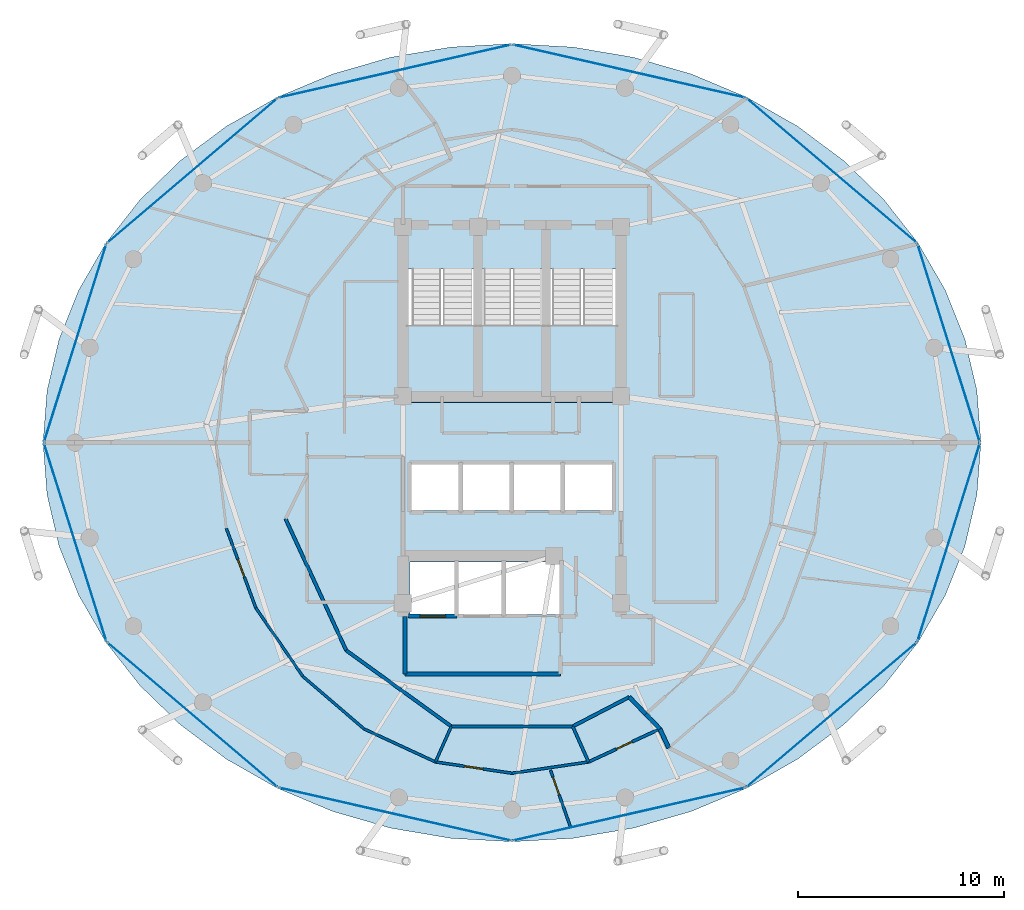
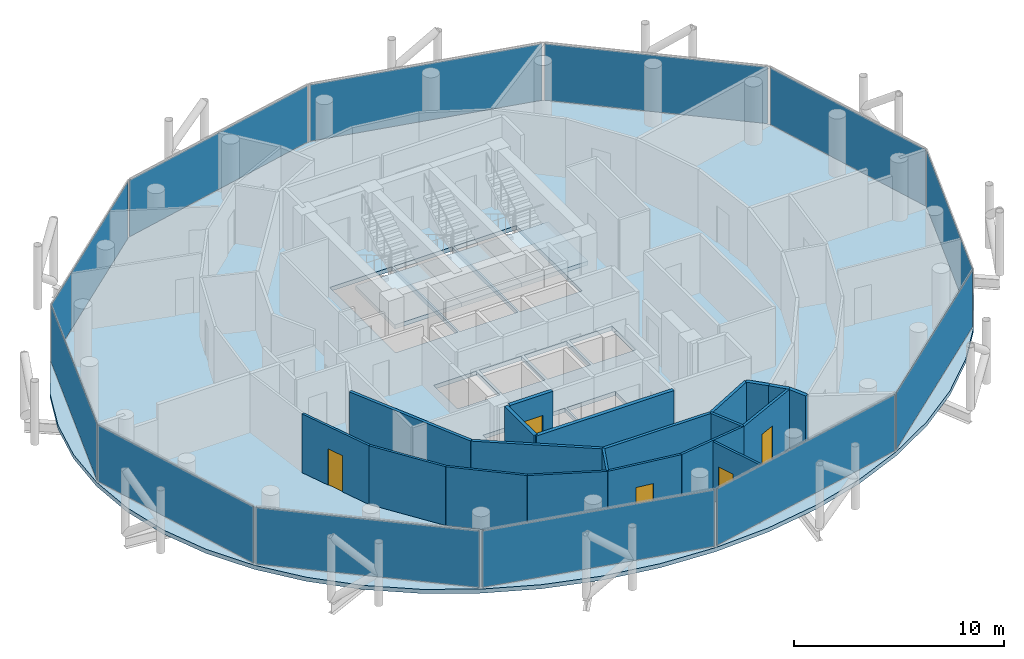
# One storey, part 22 of 27: 20 walls, 12 plates, 5 doors, 4 slabs, 5 openings, 15 elements without a shape of their own.
"""IFC4 building model written with IfcOpenShell, lengths in metres."""

from ifc_helpers import new_model, si_unit, direction, frame, frame_2d, origin, origin_2d, place, context, subcontext, project, spatial, polyline, rectangle, outline, extrude, material, layer, layer_set, type_object, element, fill, aggregate, save


model = new_model("IFC4")

# Units and contexts
model_context = context("Model", 3, precision=1e-05, world=origin(), true_north=direction((0.0, 1.0)))
body_context = subcontext(model_context, "Body", "Model", "MODEL_VIEW")
ifc_project = project(units=[si_unit("LENGTHUNIT", "METRE"), si_unit("AREAUNIT", "SQUARE_METRE"), si_unit("VOLUMEUNIT", "CUBIC_METRE"), si_unit("PLANEANGLEUNIT", "RADIAN"), si_unit("MASSUNIT", "GRAM", prefix="KILO")], contexts=[model_context])

# Site, building, storey
site_placement = place(None, origin())
site = spatial("IfcSite", under=ifc_project, at=site_placement, CompositionType="ELEMENT")
building_placement = place(site_placement, origin())
building = spatial("IfcBuilding", under=site, at=building_placement, Name="Nuhasar Tower", CompositionType="ELEMENT")
storey_placement = place(building_placement, frame((0.0, 0.0, 226.39990234375)))
storey = spatial("IfcBuildingStorey", under=building, at=storey_placement, Name="L55", CompositionType="ELEMENT", Elevation=226.39990234375)

# Curtain wall, plate
ifc_material_1 = material(Name="Aluminium 6063-T6", Category="aluminium")
ifc_layer_1 = layer(ifc_material_1, 0.18994140625)
ifc_layer_set_1 = layer_set([ifc_layer_1], Name="Aluminium 6063-T6")
curtain_wall_type = type_object("IfcCurtainWallType", Name="CW-Z3-RES", PredefinedType="NOTDEFINED", material=ifc_layer_set_1)
curtain_wall_1_placement = place(storey_placement, origin())
curtain_wall_1 = element("IfcCurtainWall", 1, at=curtain_wall_1_placement, inside=storey, type_object=curtain_wall_type, Name="L55 Unitised Curtain Wall 01", PredefinedType="NOTDEFINED")
ifc_material_2 = material(Name="Glass Double Low-E", Category="glass")
ifc_layer_2 = layer(ifc_material_2, 0.028076171875)
ifc_layer_set_2 = layer_set([ifc_layer_2], Name="Glass Double Low-E")
plate_type = type_object("IfcPlateType", Name="CW-PANEL-GLZ", PredefinedType="CURTAIN_PANEL", material=ifc_layer_set_2)
plate_1_placement = place(storey_placement, frame((60.235595703125, 31.639892578125, 0.06494140625), z_axis=(0.0, 0.0, 1.0), x_axis=(-0.30042864553, 0.95380429279, 0.0)))
plate_1 = element("IfcPlate", 2, at=plate_1_placement, type_object=plate_type, Name="CW-Z3 panel 1.1", PredefinedType="CURTAIN_PANEL", context=body_context, shape_type="SweptSolid", body=[
    extrude(rectangle(XDim=10.018798828125, YDim=0.028076171875, at=origin_2d()), origin(), (0.0, 0.0, 1.0), 3.280029296875),
])
aggregate(curtain_wall_1, [plate_1])

curtain_wall_2_placement = place(storey_placement, origin())
curtain_wall_2 = element("IfcCurtainWall", 3, at=curtain_wall_2_placement, inside=storey, type_object=curtain_wall_type, Name="L55 Unitised Curtain Wall 02", PredefinedType="NOTDEFINED")
plate_2_placement = place(storey_placement, frame((54.54541015625, 40.02294921875, 0.06494140625), z_axis=(0.0, 0.0, 1.0), x_axis=(-0.761729472562, 0.64789521578, 0.0)))
plate_2 = element("IfcPlate", 4, at=plate_2_placement, type_object=plate_type, Name="CW-Z3 panel 1.1", PredefinedType="CURTAIN_PANEL", context=body_context, shape_type="SweptSolid", body=[
    extrude(rectangle(XDim=10.806884765625, YDim=0.028076171875, at=origin_2d()), origin(), (0.0, 0.0, 1.0), 3.280029296875),
])
aggregate(curtain_wall_2, [plate_2])

curtain_wall_3_placement = place(storey_placement, origin())
curtain_wall_3 = element("IfcCurtainWall", 5, at=curtain_wall_3_placement, inside=storey, type_object=curtain_wall_type, Name="L55 Unitised Curtain Wall 03", PredefinedType="NOTDEFINED")
plate_3_placement = place(storey_placement, frame((44.68994140625, 44.863037109375, 0.06494140625), z_axis=(0.0, 0.0, 1.0), x_axis=(-0.974991266926, 0.222243176313, 0.0)))
plate_3 = element("IfcPlate", 6, at=plate_3_placement, type_object=plate_type, Name="CW-Z3 panel 1.1", PredefinedType="CURTAIN_PANEL", context=body_context, shape_type="SweptSolid", body=[
    extrude(rectangle(XDim=11.5419921875, YDim=0.028076171875, at=origin_2d()), origin(), (0.0, 0.0, 1.0), 3.280029296875),
])
aggregate(curtain_wall_3, [plate_3])

curtain_wall_4_placement = place(storey_placement, origin())
curtain_wall_4 = element("IfcCurtainWall", 7, at=curtain_wall_4_placement, inside=storey, type_object=curtain_wall_type, Name="L55 Unitised Curtain Wall 04", PredefinedType="NOTDEFINED")
plate_4_placement = place(storey_placement, frame((33.31005859375, 44.863037109375, 0.06494140625), z_axis=(0.0, 0.0, 1.0), x_axis=(-0.974991266926, -0.222243176313, 0.0)))
plate_4 = element("IfcPlate", 8, at=plate_4_placement, type_object=plate_type, Name="CW-Z3 panel 1.1", PredefinedType="CURTAIN_PANEL", context=body_context, shape_type="SweptSolid", body=[
    extrude(rectangle(XDim=11.5419921875, YDim=0.028076171875, at=origin_2d()), origin(), (0.0, 0.0, 1.0), 3.280029296875),
])
aggregate(curtain_wall_4, [plate_4])

curtain_wall_5_placement = place(storey_placement, origin())
curtain_wall_5 = element("IfcCurtainWall", 9, at=curtain_wall_5_placement, inside=storey, type_object=curtain_wall_type, Name="L55 Unitised Curtain Wall 05", PredefinedType="NOTDEFINED")
plate_5_placement = place(storey_placement, frame((23.45458984375, 40.02294921875, 0.06494140625), z_axis=(0.0, 0.0, 1.0), x_axis=(-0.761729472562, -0.64789521578, 0.0)))
plate_5 = element("IfcPlate", 10, at=plate_5_placement, type_object=plate_type, Name="CW-Z3 panel 1.1", PredefinedType="CURTAIN_PANEL", context=body_context, shape_type="SweptSolid", body=[
    extrude(rectangle(XDim=10.806884765625, YDim=0.028076171875, at=origin_2d()), origin(), (0.0, 0.0, 1.0), 3.280029296875),
])
aggregate(curtain_wall_5, [plate_5])

curtain_wall_6_placement = place(storey_placement, origin())
curtain_wall_6 = element("IfcCurtainWall", 11, at=curtain_wall_6_placement, inside=storey, type_object=curtain_wall_type, Name="L55 Unitised Curtain Wall 06", PredefinedType="NOTDEFINED")
plate_6_placement = place(storey_placement, frame((17.764404296875, 31.639892578125, 0.06494140625), z_axis=(0.0, 0.0, 1.0), x_axis=(-0.30042864553, -0.95380429279, 0.0)))
plate_6 = element("IfcPlate", 12, at=plate_6_placement, type_object=plate_type, Name="CW-Z3 panel 1.1", PredefinedType="CURTAIN_PANEL", context=body_context, shape_type="SweptSolid", body=[
    extrude(rectangle(XDim=10.018798828125, YDim=0.028076171875, at=origin_2d()), origin(), (0.0, 0.0, 1.0), 3.280029296875),
])
aggregate(curtain_wall_6, [plate_6])

curtain_wall_7_placement = place(storey_placement, origin())
curtain_wall_7 = element("IfcCurtainWall", 13, at=curtain_wall_7_placement, inside=storey, type_object=curtain_wall_type, Name="L55 Unitised Curtain Wall 07", PredefinedType="NOTDEFINED")
plate_7_placement = place(storey_placement, frame((17.764404296875, 21.9599609375, 0.06494140625), z_axis=(0.0, 0.0, 1.0), x_axis=(0.30042864553, -0.95380429279, 0.0)))
plate_7 = element("IfcPlate", 14, at=plate_7_placement, type_object=plate_type, Name="CW-Z3 panel 1.1", PredefinedType="CURTAIN_PANEL", context=body_context, shape_type="SweptSolid", body=[
    extrude(rectangle(XDim=10.018798828125, YDim=0.028076171875, at=origin_2d()), origin(), (0.0, 0.0, 1.0), 3.280029296875),
])
aggregate(curtain_wall_7, [plate_7])

curtain_wall_8_placement = place(storey_placement, origin())
curtain_wall_8 = element("IfcCurtainWall", 15, at=curtain_wall_8_placement, inside=storey, type_object=curtain_wall_type, Name="L55 Unitised Curtain Wall 08", PredefinedType="NOTDEFINED")
plate_8_placement = place(storey_placement, frame((23.45458984375, 13.576904296875, 0.06494140625), z_axis=(0.0, 0.0, 1.0), x_axis=(0.761729472562, -0.64789521578, 0.0)))
plate_8 = element("IfcPlate", 16, at=plate_8_placement, type_object=plate_type, Name="CW-Z3 panel 1.1", PredefinedType="CURTAIN_PANEL", context=body_context, shape_type="SweptSolid", body=[
    extrude(rectangle(XDim=10.806884765625, YDim=0.028076171875, at=origin_2d()), origin(), (0.0, 0.0, 1.0), 3.280029296875),
])
aggregate(curtain_wall_8, [plate_8])

curtain_wall_9_placement = place(storey_placement, origin())
curtain_wall_9 = element("IfcCurtainWall", 17, at=curtain_wall_9_placement, inside=storey, type_object=curtain_wall_type, Name="L55 Unitised Curtain Wall 09", PredefinedType="NOTDEFINED")
plate_9_placement = place(storey_placement, frame((33.31005859375, 8.737060546875, 0.06494140625), z_axis=(0.0, 0.0, 1.0), x_axis=(0.974991266926, -0.222243176313, 0.0)))
plate_9 = element("IfcPlate", 18, at=plate_9_placement, type_object=plate_type, Name="CW-Z3 panel 1.1", PredefinedType="CURTAIN_PANEL", context=body_context, shape_type="SweptSolid", body=[
    extrude(rectangle(XDim=11.5419921875, YDim=0.028076171875, at=origin_2d()), origin(), (0.0, 0.0, 1.0), 3.280029296875),
])
aggregate(curtain_wall_9, [plate_9])

curtain_wall_10_placement = place(storey_placement, origin())
curtain_wall_10 = element("IfcCurtainWall", 19, at=curtain_wall_10_placement, inside=storey, type_object=curtain_wall_type, Name="L55 Unitised Curtain Wall 10", PredefinedType="NOTDEFINED")
plate_10_placement = place(storey_placement, frame((44.68994140625, 8.737060546875, 0.06494140625), z_axis=(0.0, 0.0, 1.0), x_axis=(0.974991266926, 0.222243176313, 0.0)))
plate_10 = element("IfcPlate", 20, at=plate_10_placement, type_object=plate_type, Name="CW-Z3 panel 1.1", PredefinedType="CURTAIN_PANEL", context=body_context, shape_type="SweptSolid", body=[
    extrude(rectangle(XDim=11.5419921875, YDim=0.028076171875, at=origin_2d()), origin(), (0.0, 0.0, 1.0), 3.280029296875),
])
aggregate(curtain_wall_10, [plate_10])

curtain_wall_11_placement = place(storey_placement, origin())
curtain_wall_11 = element("IfcCurtainWall", 21, at=curtain_wall_11_placement, inside=storey, type_object=curtain_wall_type, Name="L55 Unitised Curtain Wall 11", PredefinedType="NOTDEFINED")
plate_11_placement = place(storey_placement, frame((54.54541015625, 13.576904296875, 0.06494140625), z_axis=(0.0, 0.0, 1.0), x_axis=(0.761729472562, 0.64789521578, 0.0)))
plate_11 = element("IfcPlate", 22, at=plate_11_placement, type_object=plate_type, Name="CW-Z3 panel 1.1", PredefinedType="CURTAIN_PANEL", context=body_context, shape_type="SweptSolid", body=[
    extrude(rectangle(XDim=10.806884765625, YDim=0.028076171875, at=origin_2d()), origin(), (0.0, 0.0, 1.0), 3.280029296875),
])
aggregate(curtain_wall_11, [plate_11])

curtain_wall_12_placement = place(storey_placement, origin())
curtain_wall_12 = element("IfcCurtainWall", 23, at=curtain_wall_12_placement, inside=storey, type_object=curtain_wall_type, Name="L55 Unitised Curtain Wall 12", PredefinedType="NOTDEFINED")
plate_12_placement = place(storey_placement, frame((60.235595703125, 21.9599609375, 0.06494140625), z_axis=(0.0, 0.0, 1.0), x_axis=(0.30042864553, 0.95380429279, 0.0)))
plate_12 = element("IfcPlate", 24, at=plate_12_placement, type_object=plate_type, Name="CW-Z3 panel 1.1", PredefinedType="CURTAIN_PANEL", context=body_context, shape_type="SweptSolid", body=[
    extrude(rectangle(XDim=10.018798828125, YDim=0.028076171875, at=origin_2d()), origin(), (0.0, 0.0, 1.0), 3.280029296875),
])
aggregate(curtain_wall_12, [plate_12])

# Stair, slab
ifc_material_3 = material(Name="Concrete C45/55", Category="concrete")
stair_type_1 = type_object("IfcStairType", Name="STR-ST-01-2F-22R-1659", PredefinedType="HALF_TURN_STAIR", material=ifc_material_3)
stair_1_placement = place(storey_placement, origin())
stair_1 = element("IfcStair", 25, at=stair_1_placement, inside=storey, type_object=stair_type_1, Name="L55 Exit Stair ST-01", PredefinedType="HALF_TURN_STAIR")
ifc_layer_3 = layer(ifc_material_3, 0.239990234375)
ifc_layer_set_3 = layer_set([ifc_layer_3], Name="Concrete C45/55")
slab_type_1 = type_object("IfcSlabType", Name="SLB-STAIR-LND-240", PredefinedType="LANDING", material=ifc_layer_set_3)
slab_1_placement = place(storey_placement, frame((0.0, 0.0, 1.585205078125)))
slab_1 = element("IfcSlab", 26, at=slab_1_placement, type_object=slab_type_1, Name="ST-01 landing 1", PredefinedType="LANDING", context=body_context, shape_type="SweptSolid", body=[
    extrude(outline(polyline([(33.699951171875, 28.75), (37.35009765625, 28.75), (37.35009765625, 32.52001953125), (33.699951171875, 32.52001953125), (33.699951171875, 28.75)])), origin(), (0.0, 0.0, 1.0), 0.239990234375),
])
aggregate(stair_1, [slab_1])

stair_type_2 = type_object("IfcStairType", Name="STR-ST-03-2F-22R-1659", PredefinedType="HALF_TURN_STAIR", material=ifc_material_3)
stair_2_placement = place(storey_placement, origin())
stair_2 = element("IfcStair", 27, at=stair_2_placement, inside=storey, type_object=stair_type_2, Name="L55 Exit Stair ST-03", PredefinedType="HALF_TURN_STAIR")
slab_2_placement = place(storey_placement, frame((0.0, 0.0, 1.585205078125)))
slab_2 = element("IfcSlab", 28, at=slab_2_placement, type_object=slab_type_1, Name="ST-03 landing 1", PredefinedType="LANDING", context=body_context, shape_type="SweptSolid", body=[
    extrude(outline(polyline([(37.35009765625, 28.75), (40.64990234375, 28.75), (40.64990234375, 32.52001953125), (37.35009765625, 32.52001953125), (37.35009765625, 28.75)])), origin(), (0.0, 0.0, 1.0), 0.239990234375),
])
aggregate(stair_2, [slab_2])

stair_type_3 = type_object("IfcStairType", Name="STR-ST-02-2F-22R-1659", PredefinedType="HALF_TURN_STAIR", material=ifc_material_3)
stair_3_placement = place(storey_placement, origin())
stair_3 = element("IfcStair", 29, at=stair_3_placement, inside=storey, type_object=stair_type_3, Name="L55 Exit Stair ST-02", PredefinedType="HALF_TURN_STAIR")
slab_3_placement = place(storey_placement, frame((0.0, 0.0, 1.585205078125)))
slab_3 = element("IfcSlab", 30, at=slab_3_placement, type_object=slab_type_1, Name="ST-02 landing 1", PredefinedType="LANDING", context=body_context, shape_type="SweptSolid", body=[
    extrude(outline(polyline([(40.64990234375, 28.75), (44.300048828125, 28.75), (44.300048828125, 32.52001953125), (40.64990234375, 32.52001953125), (40.64990234375, 28.75)])), origin(), (0.0, 0.0, 1.0), 0.239990234375),
])
aggregate(stair_3, [slab_3])

# Slab
ifc_layer_4 = layer(ifc_material_3, 0.239990234375)
ifc_layer_set_4 = layer_set([ifc_layer_4], Name="Concrete C45/55")
slab_type_2 = type_object("IfcSlabType", Name="SLB-Z3-240", PredefinedType="FLOOR", material=ifc_layer_set_4)
slab_4_placement = place(storey_placement, frame((0.0, 0.0, -0.239990234375)))
element("IfcSlab", 31, at=slab_4_placement, inside=storey, type_object=slab_type_2, Name="L55 Structural Slab", PredefinedType="FLOOR", context=body_context, shape_type="SweptSolid", body=[
    extrude(outline(polyline([(61.800048828125, 26.800048828125), (61.60498046875, 29.33203125), (61.02294921875, 31.821044921875), (60.06396484375, 34.22412109375), (58.7451171875, 36.5), (57.087890625, 38.610107421875), (55.1220703125, 40.51806640625), (52.8798828125, 42.19091796875), (50.39990234375, 43.60107421875), (47.72509765625, 44.722900390625), (44.90087890625, 45.5390625), (41.97607421875, 46.033935546875), (39.0, 46.199951171875), (36.02392578125, 46.033935546875), (33.09912109375, 45.5390625), (30.27490234375, 44.722900390625), (27.60009765625, 43.60107421875), (25.1201171875, 42.19091796875), (22.8779296875, 40.51806640625), (20.912109375, 38.610107421875), (19.2548828125, 36.5), (17.93603515625, 34.22412109375), (16.97705078125, 31.821044921875), (16.39501953125, 29.33203125), (16.199951171875, 26.800048828125), (16.39501953125, 24.26806640625), (16.97705078125, 21.779052734375), (17.93603515625, 19.3759765625), (19.2548828125, 17.10009765625), (20.912109375, 14.989990234375), (22.8779296875, 13.08203125), (25.1201171875, 11.408935546875), (27.60009765625, 9.9990234375), (30.27490234375, 8.876953125), (33.09912109375, 8.06103515625), (36.02392578125, 7.56591796875), (39.0, 7.39990234375), (41.97607421875, 7.56591796875), (44.90087890625, 8.06103515625), (47.72509765625, 8.876953125), (50.39990234375, 9.9990234375), (52.8798828125, 11.408935546875), (55.1220703125, 13.08203125), (57.087890625, 14.989990234375), (58.7451171875, 17.10009765625), (60.06396484375, 19.3759765625), (61.02294921875, 21.779052734375), (61.60498046875, 24.26806640625), (61.800048828125, 26.800048828125)]), holes=[polyline([(33.8798828125, 35.25), (37.300048828125, 35.25), (37.300048828125, 29.0), (33.8798828125, 29.0), (33.8798828125, 35.25)]), polyline([(37.39990234375, 35.25), (40.60009765625, 35.25), (40.60009765625, 29.0), (37.39990234375, 29.0), (37.39990234375, 35.25)]), polyline([(40.699951171875, 35.25), (44.1201171875, 35.25), (44.1201171875, 29.0), (40.699951171875, 29.0), (40.699951171875, 35.25)]), polyline([(34.10009765625, 25.75), (36.43994140625, 25.75), (36.43994140625, 23.5), (34.10009765625, 23.5), (34.10009765625, 25.75)]), polyline([(36.580078125, 25.75), (38.919921875, 25.75), (38.919921875, 23.5), (36.580078125, 23.5), (36.580078125, 25.75)]), polyline([(39.06005859375, 25.75), (41.39990234375, 25.75), (41.39990234375, 23.5), (39.06005859375, 23.5), (39.06005859375, 25.75)]), polyline([(41.5400390625, 25.75), (43.8798828125, 25.75), (43.8798828125, 23.5), (41.5400390625, 23.5), (41.5400390625, 25.75)]), polyline([(34.050048828125, 21.0), (36.25, 21.0), (36.25, 18.449951171875), (34.050048828125, 18.449951171875), (34.050048828125, 21.0)]), polyline([(36.35009765625, 21.0), (38.550048828125, 21.0), (38.550048828125, 18.449951171875), (36.35009765625, 18.449951171875), (36.35009765625, 21.0)]), polyline([(38.64990234375, 21.0), (41.320068359375, 21.0), (41.320068359375, 18.449951171875), (38.64990234375, 18.449951171875), (38.64990234375, 21.0)])]), origin(), (0.0, 0.0, 1.0), 0.239990234375),
])

# Walls
ifc_material_4 = material(Name="Gypsum Board", Category="gypsum")
ifc_layer_5 = layer(ifc_material_4, 0.159912109375)
ifc_layer_set_5 = layer_set([ifc_layer_5], Name="Gypsum Board")
wall_type_1 = type_object("IfcWallType", Name="WL-CORR-160", PredefinedType="PARTITIONING", material=ifc_layer_set_5)
wall_1_placement = place(storey_placement, frame((27.988037109375, 23.10400390625, 0.0), z_axis=(0.0, 0.0, 1.0), x_axis=(0.418656179426, -0.908144814128, 0.0)))
element("IfcWall", 32, at=wall_1_placement, inside=storey, type_object=wall_type_1, Name="L55 Interior Partition UWEST-CORE-S1-26", PredefinedType="PARTITIONING", context=body_context, shape_type="SweptSolid", body=[
    extrude(rectangle(XDim=7.048583984375, YDim=0.159912109375, at=frame_2d((3.5244140625, 0.0))), origin(), (0.0, 0.0, 1.0), 3.41015625),
])
wall_2_placement = place(storey_placement, frame((30.93896484375, 16.702880859375, 0.0), z_axis=(0.0, 0.0, 1.0), x_axis=(0.810290119061, -0.586028943784, 0.0)))
element("IfcWall", 33, at=wall_2_placement, inside=storey, type_object=wall_type_1, Name="L55 Interior Partition UWEST-CORE-S1-30", PredefinedType="PARTITIONING", context=body_context, shape_type="SweptSolid", body=[
    extrude(rectangle(XDim=6.306396484375, YDim=0.159912109375, at=frame_2d((3.1533203125, 0.0))), origin(), (0.0, 0.0, 1.0), 3.41015625),
])
wall_3_placement = place(storey_placement, frame((36.049072265625, 13.007080078125, 0.0), z_axis=(0.0, 0.0, 1.0), x_axis=(1.0, 0.0, 0.0)))
element("IfcWall", 34, at=wall_3_placement, inside=storey, type_object=wall_type_1, Name="L55 Interior Partition UWEST-CORE-S1-34", PredefinedType="PARTITIONING", context=body_context, shape_type="SweptSolid", body=[
    extrude(rectangle(XDim=5.90185546875, YDim=0.159912109375, at=frame_2d((2.950927734375, 0.0))), origin(), (0.0, 0.0, 1.0), 3.41015625),
])
wall_4_placement = place(storey_placement, frame((41.950927734375, 13.007080078125, 0.0), z_axis=(0.0, 0.0, 1.0), x_axis=(0.887674575788, 0.460471331898, 0.0)))
element("IfcWall", 35, at=wall_4_placement, inside=storey, type_object=wall_type_1, Name="L55 Interior Partition UWEST-CORE-S2-38", PredefinedType="PARTITIONING", context=body_context, shape_type="SweptSolid", body=[
    extrude(rectangle(XDim=3.096923828125, YDim=0.159912109375, at=frame_2d((1.54833984375, 0.0))), origin(), (0.0, 0.0, 1.0), 3.41015625),
])
ifc_layer_6 = layer(ifc_material_3, 0.199951171875)
ifc_layer_set_6 = layer_set([ifc_layer_6], Name="Concrete C45/55")
wall_type_2 = type_object("IfcWallType", Name="WL-LOBBY-200", PredefinedType="SOLIDWALL", material=ifc_layer_set_6)
wall_5_placement = place(storey_placement, frame((33.800048828125, 15.550048828125, 0.0), z_axis=(0.0, 0.0, 1.0), x_axis=(1.0, 0.0, 0.0)))
element("IfcWall", 36, at=wall_5_placement, inside=storey, type_object=wall_type_2, Name="L55 Interior Partition FFL-S", PredefinedType="SOLIDWALL", context=body_context, shape_type="SweptSolid", body=[
    extrude(rectangle(XDim=7.550048828125, YDim=0.199951171875, at=frame_2d((3.77490234375, 0.0))), origin(), (0.0, 0.0, 1.0), 3.41015625),
])
wall_6_placement = place(storey_placement, frame((33.800048828125, 15.550048828125, 0.0), z_axis=(0.0, 0.0, 1.0), x_axis=(0.0, 1.0, 0.0)))
element("IfcWall", 37, at=wall_6_placement, inside=storey, type_object=wall_type_2, Name="L55 Interior Partition FFL-W", PredefinedType="SOLIDWALL", context=body_context, shape_type="SweptSolid", body=[
    extrude(rectangle(XDim=2.800048828125, YDim=0.199951171875, at=frame_2d((1.39990234375, 0.0))), origin(), (0.0, 0.0, 1.0), 3.41015625),
])

# Wall, opening, door
ifc_layer_7 = layer(ifc_material_4, 0.125)
ifc_layer_set_7 = layer_set([ifc_layer_7], Name="Gypsum Board")
wall_type_3 = type_object("IfcWallType", Name="WL-PART-125", PredefinedType="PARTITIONING", material=ifc_layer_set_7)
wall_7_placement = place(storey_placement, frame((39.0, 10.72998046875, 0.0), z_axis=(0.0, 0.0, 1.0), x_axis=(-0.989330267414, 0.145690157451, 0.0)))
wall_7 = element("IfcWall", 38, at=wall_7_placement, inside=storey, type_object=wall_type_3, Name="L55 Interior Partition USM-2-K-34", PredefinedType="PARTITIONING", context=body_context, shape_type="SweptSolid", body=[
    extrude(rectangle(XDim=3.761962890625, YDim=0.125, at=frame_2d((1.880859375, 0.0))), origin(), (0.0, 0.0, 1.0), 3.41015625),
])
opening_1_placement = place(wall_7_placement, frame((1.430908203125, 0.0, 0.0)))
opening_1 = element("IfcOpeningElement", 39, at=opening_1_placement, cuts=wall_7, Name="Opening DR-01", PredefinedType="OPENING", context=body_context, shape_type="SweptSolid", body=[
    extrude(rectangle(XDim=0.89990234375, YDim=2.10009765625, at=frame_2d((0.449951171875, 1.050048828125))), frame((0.0, 0.072509765625, 0.0), z_axis=(0.0, -1.0, 0.0), x_axis=(1.0, 0.0, 0.0)), (0.0, 0.0, 1.0), 0.14501953125),
])
ifc_material_5 = material(Name="Timber Oak", Category="wood")
door_type_1 = type_object("IfcDoorType", Name="DR-ROOM-900", OperationType="NOTDEFINED", PredefinedType="DOOR", material=ifc_material_5)
door_1_placement = place(opening_1_placement, origin())
door_1 = element("IfcDoor", 40, at=door_1_placement, inside=storey, type_object=door_type_1, Name="L55 South-West Sky Home Kitchen Door", OperationType="SINGLE_SWING_LEFT", OverallHeight=2.10009765625, OverallWidth=0.89990234375, PredefinedType="DOOR", context=body_context, shape_type="SweptSolid", body=[
    extrude(rectangle(XDim=0.89990234375, YDim=2.10009765625, at=frame_2d((0.449951171875, 1.050048828125))), frame((0.0, 0.02490234375, 0.0), z_axis=(0.0, -1.0, 0.0), x_axis=(1.0, 0.0, 0.0)), (0.0, 0.0, 1.0), 0.050048828125),
])
fill(opening_1, door_1)

# Walls
wall_8_placement = place(storey_placement, frame((39.0, 10.72998046875, 0.0), z_axis=(0.0, 0.0, 1.0), x_axis=(0.989330267414, 0.145690157451, 0.0)))
element("IfcWall", 41, at=wall_8_placement, inside=storey, type_object=wall_type_3, Name="L55 Interior Partition USM-2-K-36", PredefinedType="PARTITIONING", context=body_context, shape_type="SweptSolid", body=[
    extrude(rectangle(XDim=3.761962890625, YDim=0.125, at=frame_2d((1.880859375, 0.0))), origin(), (0.0, 0.0, 1.0), 3.41015625),
])
wall_9_placement = place(storey_placement, frame((36.049072265625, 13.007080078125, 0.0), z_axis=(0.0, 0.0, 1.0), x_axis=(-0.407262922325, -0.913310961338, 0.0)))
element("IfcWall", 42, at=wall_9_placement, inside=storey, type_object=wall_type_3, Name="L55 Interior Partition USI-2-DK", PredefinedType="PARTITIONING", context=body_context, shape_type="SweptSolid", body=[
    extrude(rectangle(XDim=1.89306640625, YDim=0.125, at=frame_2d((0.946533203125, 0.0))), origin(), (0.0, 0.0, 1.0), 3.41015625),
])

# Wall, opening, door
wall_10_placement = place(storey_placement, frame((26.547119140625, 18.764892578125, 0.0), z_axis=(0.0, 0.0, 1.0), x_axis=(-0.347606700796, 0.937640432982, 0.0)))
wall_10 = element("IfcWall", 43, at=wall_10_placement, inside=storey, type_object=wall_type_3, Name="L55 Interior Partition USM-2-D-26", PredefinedType="PARTITIONING", context=body_context, shape_type="SweptSolid", body=[
    extrude(rectangle(XDim=4.134033203125, YDim=0.125, at=frame_2d((2.06689453125, 0.0))), origin(), (0.0, 0.0, 1.0), 3.41015625),
])
opening_2_placement = place(wall_10_placement, frame((1.616943359375, 0.0, 0.0)))
opening_2 = element("IfcOpeningElement", 44, at=opening_2_placement, cuts=wall_10, Name="Opening DR-01", PredefinedType="OPENING", context=body_context, shape_type="SweptSolid", body=[
    extrude(rectangle(XDim=0.89990234375, YDim=2.10009765625, at=frame_2d((0.449951171875, 1.050048828125))), frame((0.0, 0.072509765625, 0.0), z_axis=(0.0, -1.0, 0.0), x_axis=(1.0, 0.0, 0.0)), (0.0, 0.0, 1.0), 0.14501953125),
])
door_2_placement = place(opening_2_placement, origin())
door_2 = element("IfcDoor", 45, at=door_2_placement, inside=storey, type_object=door_type_1, Name="L55 South-West Sky Home Living Door", OperationType="SINGLE_SWING_LEFT", OverallHeight=2.10009765625, OverallWidth=0.89990234375, PredefinedType="DOOR", context=body_context, shape_type="SweptSolid", body=[
    extrude(rectangle(XDim=0.89990234375, YDim=2.10009765625, at=frame_2d((0.449951171875, 1.050048828125))), frame((0.0, 0.02490234375, 0.0), z_axis=(0.0, -1.0, 0.0), x_axis=(1.0, 0.0, 0.0)), (0.0, 0.0, 1.0), 0.050048828125),
])
fill(opening_2, door_2)

# Walls
wall_11_placement = place(storey_placement, frame((26.547119140625, 18.764892578125, 0.0), z_axis=(0.0, 0.0, 1.0), x_axis=(0.566023066777, -0.824389403059, 0.0)))
element("IfcWall", 46, at=wall_11_placement, inside=storey, type_object=wall_type_3, Name="L55 Interior Partition USM-2-D-28", PredefinedType="PARTITIONING", context=body_context, shape_type="SweptSolid", body=[
    extrude(rectangle(XDim=4.036865234375, YDim=0.125, at=frame_2d((2.0185546875, 0.0))), origin(), (0.0, 0.0, 1.0), 3.41015625),
])
wall_12_placement = place(storey_placement, frame((28.83203125, 15.43701171875, 0.0), z_axis=(0.0, 0.0, 1.0), x_axis=(0.759085259689, -0.650991220004, 0.0)))
element("IfcWall", 47, at=wall_12_placement, inside=storey, type_object=wall_type_3, Name="L55 Interior Partition USM-2-D-30", PredefinedType="PARTITIONING", context=body_context, shape_type="SweptSolid", body=[
    extrude(rectangle(XDim=3.923095703125, YDim=0.125, at=frame_2d((1.96142578125, 0.0))), origin(), (0.0, 0.0, 1.0), 3.41015625),
])
wall_13_placement = place(storey_placement, frame((31.81005859375, 12.883056640625, 0.0), z_axis=(0.0, 0.0, 1.0), x_axis=(0.907525084777, -0.419997881543, 0.0)))
element("IfcWall", 48, at=wall_13_placement, inside=storey, type_object=wall_type_3, Name="L55 Interior Partition USM-2-D-32", PredefinedType="PARTITIONING", context=body_context, shape_type="SweptSolid", body=[
    extrude(rectangle(XDim=3.8212890625, YDim=0.125, at=frame_2d((1.91064453125, 0.0))), origin(), (0.0, 0.0, 1.0), 3.41015625),
])

# Wall, opening, door
wall_14_placement = place(storey_placement, frame((40.876953125, 10.866943359375, 0.0), z_axis=(0.0, 0.0, 1.0), x_axis=(0.331393126799, -0.943492763889, 0.0)))
wall_14 = element("IfcWall", 49, at=wall_14_placement, inside=storey, type_object=wall_type_3, Name="L55 Interior Partition USO-2-BD", PredefinedType="PARTITIONING", context=body_context, shape_type="SweptSolid", body=[
    extrude(rectangle(XDim=2.9091796875, YDim=0.125, at=frame_2d((1.45458984375, 0.0))), origin(), (0.0, 0.0, 1.0), 3.41015625),
])
opening_3_placement = place(wall_14_placement, frame((0.35009765625, 0.0, 0.0)))
opening_3 = element("IfcOpeningElement", 50, at=opening_3_placement, cuts=wall_14, Name="Opening DR-01", PredefinedType="OPENING", context=body_context, shape_type="SweptSolid", body=[
    extrude(rectangle(XDim=0.89990234375, YDim=2.10009765625, at=frame_2d((0.449951171875, 1.050048828125))), frame((0.0, 0.072509765625, 0.0), z_axis=(0.0, -1.0, 0.0), x_axis=(1.0, 0.0, 0.0)), (0.0, 0.0, 1.0), 0.14501953125),
])
door_3_placement = place(opening_3_placement, origin())
door_3 = element("IfcDoor", 51, at=door_3_placement, inside=storey, type_object=door_type_1, Name="L55 South-West Sky Home Master Bedroom Door", OperationType="SINGLE_SWING_LEFT", OverallHeight=2.10009765625, OverallWidth=0.89990234375, PredefinedType="DOOR", context=body_context, shape_type="SweptSolid", body=[
    extrude(rectangle(XDim=0.89990234375, YDim=2.10009765625, at=frame_2d((0.449951171875, 1.050048828125))), frame((0.0, 0.02490234375, 0.0), z_axis=(0.0, -1.0, 0.0), x_axis=(1.0, 0.0, 0.0)), (0.0, 0.0, 1.0), 0.050048828125),
])
fill(opening_3, door_3)

ifc_layer_8 = layer(ifc_material_3, 0.199951171875)
ifc_layer_set_8 = layer_set([ifc_layer_8], Name="Concrete C45/55")
wall_type_4 = type_object("IfcWallType", Name="WL-SHAFT-200", PredefinedType="SOLIDWALL", material=ifc_layer_set_8)
wall_15_placement = place(storey_placement, frame((33.969970703125, 18.3701171875, 0.0), z_axis=(0.0, 0.0, 1.0), x_axis=(1.0, 0.0, 0.0)))
wall_15 = element("IfcWall", 52, at=wall_15_placement, inside=storey, type_object=wall_type_4, Name="L55 Interior Partition SHF-FFL-01-S", PredefinedType="SOLIDWALL", context=body_context, shape_type="SweptSolid", body=[
    extrude(rectangle(XDim=2.360107421875, YDim=0.199951171875, at=frame_2d((1.18017578125, 0.0))), origin(), (0.0, 0.0, 1.0), 3.41015625),
])
opening_4_placement = place(wall_15_placement, frame((0.554931640625, 0.0, 0.0)))
opening_4 = element("IfcOpeningElement", 53, at=opening_4_placement, cuts=wall_15, Name="Opening LD-F01", PredefinedType="OPENING", context=body_context, shape_type="SweptSolid", body=[
    extrude(rectangle(XDim=1.25, YDim=2.199951171875, at=frame_2d((0.625, 1.10009765625))), frame((0.0, 0.10986328125, 0.0), z_axis=(0.0, -1.0, 0.0), x_axis=(1.0, 0.0, 0.0)), (0.0, 0.0, 1.0), 0.219970703125),
])
ifc_material_6 = material(Name="Stainless Steel 316L", Category="steel")
door_type_2 = type_object("IfcDoorType", Name="LD-FFL-1250", OperationType="DOUBLE_DOOR_SLIDING", PredefinedType="DOOR", material=ifc_material_6)
door_4_placement = place(opening_4_placement, origin())
door_4 = element("IfcDoor", 54, at=door_4_placement, inside=storey, type_object=door_type_2, Name="L55 Lift Landing Door FFL-01", OperationType="DOUBLE_DOOR_SLIDING", OverallHeight=2.199951171875, OverallWidth=1.25, PredefinedType="DOOR", context=body_context, shape_type="SweptSolid", body=[
    extrude(rectangle(XDim=1.25, YDim=2.199951171875, at=frame_2d((0.625, 1.10009765625))), frame((0.0, 0.02490234375, 0.0), z_axis=(0.0, -1.0, 0.0), x_axis=(1.0, 0.0, 0.0)), (0.0, 0.0, 1.0), 0.050048828125),
])
fill(opening_4, door_4)

# Walls
ifc_material_7 = material(Name="Concrete C40/50 precast", Category="concrete")
ifc_layer_9 = layer(ifc_material_7, 0.199951171875)
ifc_layer_set_9 = layer_set([ifc_layer_9], Name="Concrete C40/50 precast")
wall_type_5 = type_object("IfcWallType", Name="WL-UNIT-200", PredefinedType="PARTITIONING", material=ifc_layer_set_9)
wall_16_placement = place(storey_placement, frame((44.699951171875, 14.43310546875, 0.0), z_axis=(0.0, 0.0, 1.0), x_axis=(0.699216408702, -0.714910073926, 0.0)))
element("IfcWall", 55, at=wall_16_placement, inside=storey, type_object=wall_type_5, Name="L55 Interior Partition URAD-40-SW-S1", PredefinedType="PARTITIONING", context=body_context, shape_type="SweptSolid", body=[
    extrude(rectangle(XDim=1.151123046875, YDim=0.199951171875, at=frame_2d((0.57568359375, 0.0))), origin(), (0.0, 0.0, 1.0), 3.41015625),
])
wall_17_placement = place(storey_placement, frame((45.5048828125, 13.610107421875, 0.0), z_axis=(0.0, 0.0, 1.0), x_axis=(0.685776251655, -0.72781242959, 0.0)))
element("IfcWall", 56, at=wall_17_placement, inside=storey, type_object=wall_type_5, Name="L55 Interior Partition URAD-40-SW-S2", PredefinedType="PARTITIONING", context=body_context, shape_type="SweptSolid", body=[
    extrude(rectangle(XDim=0.9990234375, YDim=0.199951171875, at=frame_2d((0.49951171875, 0.0))), origin(), (0.0, 0.0, 1.0), 3.41015625),
])
wall_18_placement = place(storey_placement, frame((46.18994140625, 12.883056640625, 0.0), z_axis=(0.0, 0.0, 1.0), x_axis=(0.424335152462, -0.905505206161, 0.0)))
element("IfcWall", 57, at=wall_18_placement, inside=storey, type_object=wall_type_5, Name="L55 Interior Partition URAD-40-SW-S3", PredefinedType="PARTITIONING", context=body_context, shape_type="SweptSolid", body=[
    extrude(rectangle(XDim=1.013671875, YDim=0.199951171875, at=frame_2d((0.5068359375, 0.0))), origin(), (0.0, 0.0, 1.0), 3.41015625),
])

# Wall, opening, door
ifc_layer_10 = layer(ifc_material_7, 0.139892578125)
ifc_layer_set_10 = layer_set([ifc_layer_10], Name="Concrete C40/50 precast")
wall_type_6 = type_object("IfcWallType", Name="WL-WET-140", PredefinedType="PARTITIONING", material=ifc_layer_set_10)
wall_19_placement = place(storey_placement, frame((46.18994140625, 12.883056640625, 0.0), z_axis=(0.0, 0.0, 1.0), x_axis=(-0.907525084777, -0.419997881543, 0.0)))
wall_19 = element("IfcWall", 58, at=wall_19_placement, inside=storey, type_object=wall_type_6, Name="L55 Interior Partition USM-2-B-38", PredefinedType="PARTITIONING", context=body_context, shape_type="SweptSolid", body=[
    extrude(rectangle(XDim=3.8212890625, YDim=0.139892578125, at=frame_2d((1.91064453125, 0.0))), origin(), (0.0, 0.0, 1.0), 3.41015625),
])
opening_5_placement = place(wall_19_placement, frame((1.486083984375, 0.0, 0.0)))
opening_5 = element("IfcOpeningElement", 59, at=opening_5_placement, cuts=wall_19, Name="Opening DB-01", PredefinedType="OPENING", context=body_context, shape_type="SweptSolid", body=[
    extrude(rectangle(XDim=0.85009765625, YDim=2.10009765625, at=frame_2d((0.425048828125, 1.050048828125))), frame((0.0, 0.080078125, 0.0), z_axis=(0.0, -1.0, 0.0), x_axis=(1.0, 0.0, 0.0)), (0.0, 0.0, 1.0), 0.159912109375),
])
door_type_3 = type_object("IfcDoorType", Name="DR-BATH-850", OperationType="NOTDEFINED", PredefinedType="DOOR", material=ifc_material_5)
door_5_placement = place(opening_5_placement, origin())
door_5 = element("IfcDoor", 60, at=door_5_placement, inside=storey, type_object=door_type_3, Name="L55 South-West Sky Home En-Suite Door", OperationType="SINGLE_SWING_LEFT", OverallHeight=2.10009765625, OverallWidth=0.85009765625, PredefinedType="DOOR", context=body_context, shape_type="SweptSolid", body=[
    extrude(rectangle(XDim=0.85009765625, YDim=2.10009765625, at=frame_2d((0.425048828125, 1.050048828125))), frame((0.0, 0.02490234375, 0.0), z_axis=(0.0, -1.0, 0.0), x_axis=(1.0, 0.0, 0.0)), (0.0, 0.0, 1.0), 0.050048828125),
])
fill(opening_5, door_5)

# Wall
wall_20_placement = place(storey_placement, frame((41.950927734375, 13.007080078125, 0.0), z_axis=(0.0, 0.0, 1.0), x_axis=(0.407262922325, -0.913310961338, 0.0)))
element("IfcWall", 61, at=wall_20_placement, inside=storey, type_object=wall_type_6, Name="L55 Interior Partition USI-2-KB", PredefinedType="PARTITIONING", context=body_context, shape_type="SweptSolid", body=[
    extrude(rectangle(XDim=1.89306640625, YDim=0.139892578125, at=frame_2d((0.946533203125, 0.0))), origin(), (0.0, 0.0, 1.0), 3.41015625),
])

save(model, "model.ifc")
